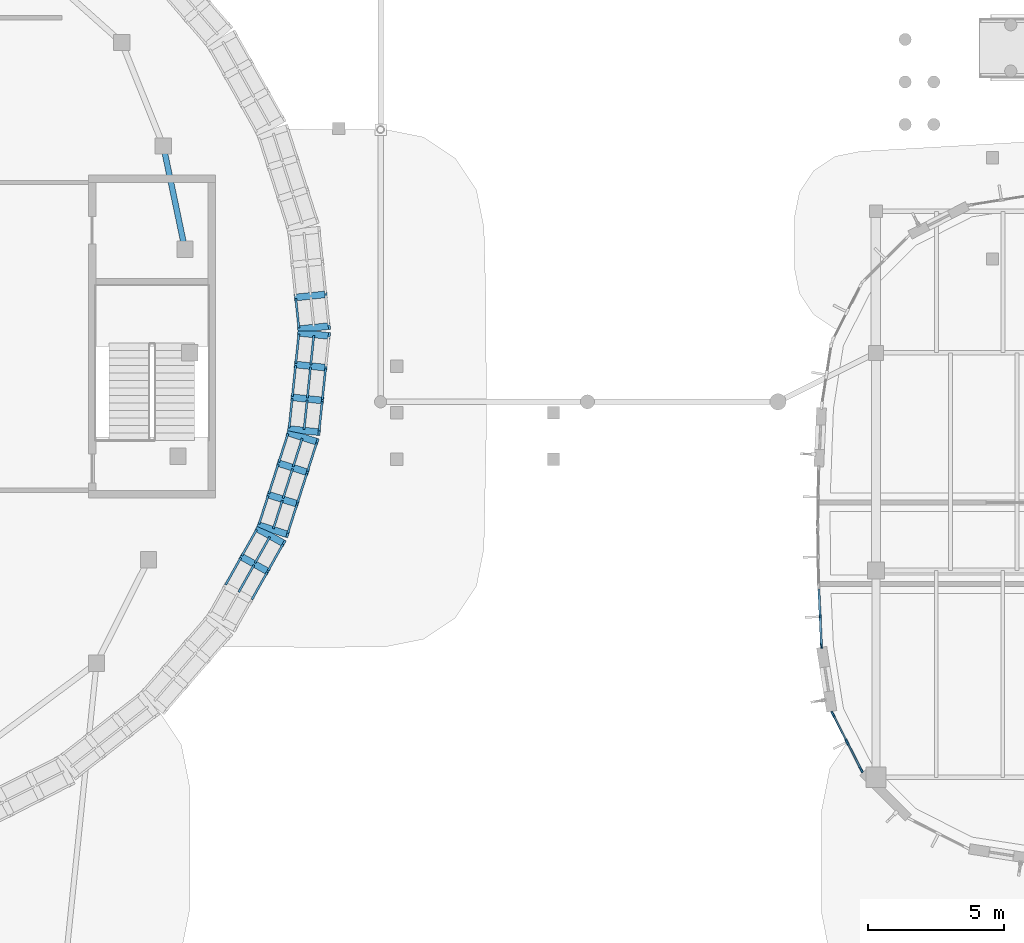
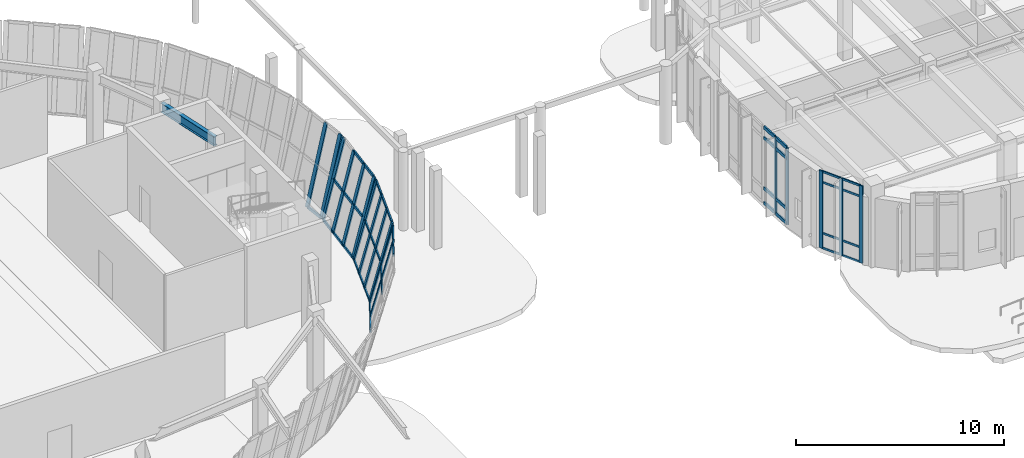
# One storey, part 24 of 120: 57 members, 1 beam, 6 elements without a shape of their own.
"""IFC4 building model written with IfcOpenShell, lengths in metres."""

from ifc_helpers import new_model, si_unit, direction, frame, origin, origin_2d, place, context, subcontext, project, spatial, rectangle, i_section, extrude, material, material_profile, profile_set, type_object, element, aggregate, save


model = new_model("IFC4")

# Units and contexts
model_context = context("Model", 3, precision=1e-05, world=origin(), true_north=direction((0.0, 1.0)))
body_context = subcontext(model_context, "Body", "Model", "MODEL_VIEW")
ifc_project = project(units=[si_unit("LENGTHUNIT", "METRE"), si_unit("AREAUNIT", "SQUARE_METRE"), si_unit("VOLUMEUNIT", "CUBIC_METRE"), si_unit("PLANEANGLEUNIT", "RADIAN"), si_unit("MASSUNIT", "GRAM", prefix="KILO")], contexts=[model_context])

# Site, building, storey
site_placement = place(None, origin())
site = spatial("IfcSite", under=ifc_project, at=site_placement, CompositionType="ELEMENT")
building_placement = place(site_placement, origin())
building = spatial("IfcBuilding", under=site, at=building_placement, Name="Corveleigh Park Community Centre", CompositionType="ELEMENT")
storey_placement = place(building_placement, origin())
storey = spatial("IfcBuildingStorey", under=building, at=storey_placement, Name="L00", CompositionType="ELEMENT", Elevation=0.0)

# Beam
ifc_material_1 = material(Name="Steel S355", Category="steel")
ifc_material_profile_1 = material_profile(ifc_material_1, i_section(OverallWidth=0.210693359375, OverallDepth=0.53955078125, WebThickness=0.01171875, FlangeThickness=0.018798828125, at=origin_2d()), Name="UKB 533x210x109", Category="steel")
ifc_profile_set_1 = profile_set([ifc_material_profile_1], Name="Steel S355")
beam_type = type_object("IfcBeamType", Name="BM-STL-UKB533x109", PredefinedType="BEAM", material=ifc_profile_set_1)
beam_placement = place(storey_placement, frame((46.613037109375, 30.60498046875, 4.2421875), z_axis=(-0.204790105702, 0.978805911612, 0.0), x_axis=(-0.978805911612, -0.204790105702, 0.0)))
element("IfcBeam", 1, at=beam_placement, inside=storey, type_object=beam_type, Name="V1 Drum Ring Girder", PredefinedType="BEAM", context=body_context, shape_type="SweptSolid", body=[
    extrude(i_section(OverallWidth=0.210693359375, OverallDepth=0.53955078125, WebThickness=0.01171875, FlangeThickness=0.018798828125, at=origin_2d()), origin(), (0.0, 0.0, 1.0), 3.8720703125),
])

# Curtain wall, members
ifc_material_2 = material(Name="Anodised aluminium 6063-T6", Category="aluminium")
curtain_wall_type_1 = type_object("IfcCurtainWallType", Name="CW-SYS-V3-L00", PredefinedType="NOTDEFINED", material=ifc_material_2)
curtain_wall_1_placement = place(storey_placement, origin())
curtain_wall_1 = element("IfcCurtainWall", 2, at=curtain_wall_1_placement, inside=storey, type_object=curtain_wall_type_1, Name="V3 L00 Curtain Wall 105", PredefinedType="NOTDEFINED")
ifc_material_profile_2 = material_profile(ifc_material_2, rectangle(XDim=0.070068359375, YDim=0.199951171875, at=origin_2d()), Name="ALU-M70x200", Category="aluminium")
ifc_profile_set_2 = profile_set([ifc_material_profile_2], Name="Anodised aluminium 6063-T6")
member_type_1 = type_object("IfcMemberType", Name="CWM-70x200", PredefinedType="MULLION", material=ifc_profile_set_2)
member_1_placement = place(storey_placement, frame((69.997314453125, 16.052001953125, 0.0), z_axis=(0.0, 0.0, 1.0), x_axis=(-0.998942789627, -0.045970676011, 0.0)))
member_1 = element("IfcMember", 3, at=member_1_placement, type_object=member_type_1, Name="CW05 mullion 1", PredefinedType="MULLION", context=body_context, shape_type="SweptSolid", body=[
    extrude(rectangle(XDim=0.070068359375, YDim=0.199951171875, at=origin_2d()), origin(), (0.0, 0.0, 1.0), 4.511962890625),
])
member_2_placement = place(storey_placement, frame((69.948974609375, 17.103515625, 0.0), z_axis=(0.0, 0.0, 1.0), x_axis=(-0.998942789627, -0.045970676011, 0.0)))
member_2 = element("IfcMember", 4, at=member_2_placement, type_object=member_type_1, Name="CW05 mullion 2", PredefinedType="MULLION", context=body_context, shape_type="SweptSolid", body=[
    extrude(rectangle(XDim=0.070068359375, YDim=0.199951171875, at=origin_2d()), origin(), (0.0, 0.0, 1.0), 4.511962890625),
])

curtain_wall_2_placement = place(storey_placement, origin())
curtain_wall_2 = element("IfcCurtainWall", 5, at=curtain_wall_2_placement, inside=storey, type_object=curtain_wall_type_1, Name="V3 L00 Curtain Wall 106", PredefinedType="NOTDEFINED")
ifc_material_profile_3 = material_profile(ifc_material_2, rectangle(XDim=0.074951171875, YDim=0.219970703125, at=origin_2d()), Name="ALU-M75x220", Category="aluminium")
ifc_profile_set_3 = profile_set([ifc_material_profile_3], Name="Anodised aluminium 6063-T6")
member_type_2 = type_object("IfcMemberType", Name="CWM-75x220", PredefinedType="MULLION", material=ifc_profile_set_3)
member_3_placement = place(storey_placement, frame((71.4560546875, 11.482421875, 0.0), z_axis=(0.0, 0.0, 1.0), x_axis=(-0.890932984411, -0.45413480079, 0.0)))
member_3 = element("IfcMember", 6, at=member_3_placement, type_object=member_type_2, Name="CW05 mullion 1", PredefinedType="MULLION", context=body_context, shape_type="SweptSolid", body=[
    extrude(rectangle(XDim=0.074951171875, YDim=0.219970703125, at=origin_2d()), origin(), (0.0, 0.0, 1.0), 4.5419921875),
])
member_4_placement = place(storey_placement, frame((70.93603515625, 12.50244140625, 0.0), z_axis=(0.0, 0.0, 1.0), x_axis=(-0.890932984411, -0.45413480079, 0.0)))
member_4 = element("IfcMember", 7, at=member_4_placement, type_object=member_type_2, Name="CW05 mullion 2", PredefinedType="MULLION", context=body_context, shape_type="SweptSolid", body=[
    extrude(rectangle(XDim=0.074951171875, YDim=0.219970703125, at=origin_2d()), origin(), (0.0, 0.0, 1.0), 4.5419921875),
])
member_5_placement = place(storey_placement, frame((70.416015625, 13.522705078125, 0.0), z_axis=(0.0, 0.0, 1.0), x_axis=(-0.890932984411, -0.45413480079, 0.0)))
member_5 = element("IfcMember", 8, at=member_5_placement, type_object=member_type_2, Name="CW05 mullion 3", PredefinedType="MULLION", context=body_context, shape_type="SweptSolid", body=[
    extrude(rectangle(XDim=0.074951171875, YDim=0.219970703125, at=origin_2d()), origin(), (0.0, 0.0, 1.0), 4.5419921875),
])

curtain_wall_type_2 = type_object("IfcCurtainWallType", Name="CW-SYS-V1-L00", PredefinedType="NOTDEFINED", material=ifc_material_2)
curtain_wall_3_placement = place(storey_placement, origin())
curtain_wall_3 = element("IfcCurtainWall", 9, at=curtain_wall_3_placement, inside=storey, type_object=curtain_wall_type_2, Name="Main Hall Flared Drum CW 1", PredefinedType="NOTDEFINED")
ifc_material_profile_4 = material_profile(ifc_material_2, rectangle(XDim=0.080078125, YDim=0.25, at=origin_2d()), Name="ALU-M80x250", Category="aluminium")
ifc_profile_set_4 = profile_set([ifc_material_profile_4], Name="Anodised aluminium 6063-T6")
member_type_3 = type_object("IfcMemberType", Name="CWM-80x250", PredefinedType="MULLION", material=ifc_profile_set_4)
member_6_placement = place(storey_placement, frame((50.79296875, 27.666748046875, 0.0), z_axis=(0.240619393384, 0.024886230082, 0.970300460208), x_axis=(-0.965152134893, -0.099821538717, 0.241902908044)))
member_6 = element("IfcMember", 10, at=member_6_placement, type_object=member_type_3, Name="CW01 mullion 1", PredefinedType="MULLION", context=body_context, shape_type="SweptSolid", body=[
    extrude(rectangle(XDim=0.080078125, YDim=0.25, at=origin_2d()), origin(), (0.0, 0.0, 1.0), 4.650146484375),
])
member_7_placement = place(storey_placement, frame((50.67236328125, 28.831787109375, 0.0), z_axis=(0.240619393384, 0.024886230082, 0.970300460208), x_axis=(-0.965152134893, -0.099821538717, 0.241902908044)))
member_7 = element("IfcMember", 11, at=member_7_placement, type_object=member_type_3, Name="CW01 mullion 2", PredefinedType="MULLION", context=body_context, shape_type="SweptSolid", body=[
    extrude(rectangle(XDim=0.080078125, YDim=0.25, at=origin_2d()), origin(), (0.0, 0.0, 1.0), 4.650146484375),
])

curtain_wall_4_placement = place(storey_placement, origin())
curtain_wall_4 = element("IfcCurtainWall", 12, at=curtain_wall_4_placement, inside=storey, type_object=curtain_wall_type_2, Name="Main Hall Flared Drum CW 27", PredefinedType="NOTDEFINED")
member_8_placement = place(storey_placement, frame((48.6787109375, 19.314697265625, 0.0), z_axis=(0.210798134358, -0.118655985965, 0.970301449832), x_axis=(-0.845550363495, 0.475951138605, 0.241898938514)))
member_8 = element("IfcMember", 13, at=member_8_placement, type_object=member_type_3, Name="CW01 mullion 3", PredefinedType="MULLION", context=body_context, shape_type="SweptSolid", body=[
    extrude(rectangle(XDim=0.080078125, YDim=0.25, at=origin_2d()), origin(), (0.0, 0.0, 1.0), 4.650146484375),
])
member_9_placement = place(storey_placement, frame((49.260498046875, 20.34814453125, 0.0), z_axis=(0.210798134358, -0.118655985965, 0.970301449832), x_axis=(-0.845550363495, 0.475951138605, 0.241898938514)))
member_9 = element("IfcMember", 14, at=member_9_placement, type_object=member_type_3, Name="CW01 mullion 4", PredefinedType="MULLION", context=body_context, shape_type="SweptSolid", body=[
    extrude(rectangle(XDim=0.080078125, YDim=0.25, at=origin_2d()), origin(), (0.0, 0.0, 1.0), 4.650146484375),
])

curtain_wall_5_placement = place(storey_placement, origin())
curtain_wall_5 = element("IfcCurtainWall", 15, at=curtain_wall_5_placement, inside=storey, type_object=curtain_wall_type_2, Name="Main Hall Flared Drum CW 28", PredefinedType="NOTDEFINED")
member_10_placement = place(storey_placement, frame((49.313232421875, 20.468994140625, 0.0), z_axis=(0.230432884742, -0.073660819616, 0.970296227594), x_axis=(-0.924223979595, 0.295440018996, 0.241919884914)))
member_10 = element("IfcMember", 16, at=member_10_placement, type_object=member_type_3, Name="CW01 mullion 1", PredefinedType="MULLION", context=body_context, shape_type="SweptSolid", body=[
    extrude(rectangle(XDim=0.080078125, YDim=0.25, at=origin_2d()), origin(), (0.0, 0.0, 1.0), 4.650146484375),
])
member_11_placement = place(storey_placement, frame((49.67138671875, 21.58935546875, 0.0), z_axis=(0.230432884742, -0.073660819616, 0.970296227594), x_axis=(-0.924223979595, 0.295440018996, 0.241919884914)))
member_11 = element("IfcMember", 17, at=member_11_placement, type_object=member_type_3, Name="CW01 mullion 2", PredefinedType="MULLION", context=body_context, shape_type="SweptSolid", body=[
    extrude(rectangle(XDim=0.080078125, YDim=0.25, at=origin_2d()), origin(), (0.0, 0.0, 1.0), 4.650146484375),
])
member_12_placement = place(storey_placement, frame((50.041748046875, 22.74755859375, 0.0), z_axis=(0.230432884742, -0.073660819616, 0.970296227594), x_axis=(-0.924223979595, 0.295440018996, 0.241919884914)))
member_12 = element("IfcMember", 18, at=member_12_placement, type_object=member_type_3, Name="CW01 mullion 3", PredefinedType="MULLION", context=body_context, shape_type="SweptSolid", body=[
    extrude(rectangle(XDim=0.080078125, YDim=0.25, at=origin_2d()), origin(), (0.0, 0.0, 1.0), 4.650146484375),
])
member_13_placement = place(storey_placement, frame((50.39990234375, 23.867919921875, 0.0), z_axis=(0.230432884742, -0.073660819616, 0.970296227594), x_axis=(-0.924223979595, 0.295440018996, 0.241919884914)))
member_13 = element("IfcMember", 19, at=member_13_placement, type_object=member_type_3, Name="CW01 mullion 4", PredefinedType="MULLION", context=body_context, shape_type="SweptSolid", body=[
    extrude(rectangle(XDim=0.080078125, YDim=0.25, at=origin_2d()), origin(), (0.0, 0.0, 1.0), 4.650146484375),
])

curtain_wall_6_placement = place(storey_placement, origin())
curtain_wall_6 = element("IfcCurtainWall", 20, at=curtain_wall_6_placement, inside=storey, type_object=curtain_wall_type_2, Name="Main Hall Flared Drum CW 29", PredefinedType="NOTDEFINED")
member_14_placement = place(storey_placement, frame((50.427001953125, 23.998779296875, 0.0), z_axis=(0.240668855263, -0.024885915662, 0.970288201159), x_axis=(-0.965142168995, 0.099798732134, 0.241952075196)))
member_14 = element("IfcMember", 21, at=member_14_placement, type_object=member_type_3, Name="CW01 mullion 1", PredefinedType="MULLION", context=body_context, shape_type="SweptSolid", body=[
    extrude(rectangle(XDim=0.080078125, YDim=0.25, at=origin_2d()), origin(), (0.0, 0.0, 1.0), 4.650146484375),
])
member_15_placement = place(storey_placement, frame((50.547607421875, 25.16357421875, 0.0), z_axis=(0.240668855263, -0.024885915662, 0.970288201159), x_axis=(-0.965142168995, 0.099798732134, 0.241952075196)))
member_15 = element("IfcMember", 22, at=member_15_placement, type_object=member_type_3, Name="CW01 mullion 2", PredefinedType="MULLION", context=body_context, shape_type="SweptSolid", body=[
    extrude(rectangle(XDim=0.080078125, YDim=0.25, at=origin_2d()), origin(), (0.0, 0.0, 1.0), 4.650146484375),
])
member_16_placement = place(storey_placement, frame((50.67236328125, 26.368408203125, 0.0), z_axis=(0.240619078662, -0.024938700058, 0.970299191087), x_axis=(-0.965129300216, 0.100029766005, 0.241907998579)))
member_16 = element("IfcMember", 23, at=member_16_placement, type_object=member_type_3, Name="CW01 mullion 3", PredefinedType="MULLION", context=body_context, shape_type="SweptSolid", body=[
    extrude(rectangle(XDim=0.080078125, YDim=0.25, at=origin_2d()), origin(), (0.0, 0.0, 1.0), 4.650146484375),
])
member_17_placement = place(storey_placement, frame((50.79296875, 27.533203125, 0.0), z_axis=(0.240619393384, -0.024886230082, 0.970300460208), x_axis=(-0.965152134893, 0.099821538717, 0.241902908044)))
member_17 = element("IfcMember", 24, at=member_17_placement, type_object=member_type_3, Name="CW01 mullion 4", PredefinedType="MULLION", context=body_context, shape_type="SweptSolid", body=[
    extrude(rectangle(XDim=0.080078125, YDim=0.25, at=origin_2d()), origin(), (0.0, 0.0, 1.0), 4.650146484375),
])

# Member
ifc_material_profile_5 = material_profile(ifc_material_2, rectangle(XDim=0.06005859375, YDim=0.1201171875, at=origin_2d()), Name="ALU-T60x120", Category="aluminium")
ifc_profile_set_5 = profile_set([ifc_material_profile_5], Name="Anodised aluminium 6063-T6")
member_type_4 = type_object("IfcMemberType", Name="CWT-60x120", PredefinedType="USERDEFINED", material=ifc_profile_set_5)
member_18_placement = place(storey_placement, frame((71.43896484375, 11.515869140625, 0.030029296875), z_axis=(-0.454137723853, 0.890931494433, 0.0), x_axis=(-0.890931494433, -0.454137723853, 0.0)))
member_18 = element("IfcMember", 25, at=member_18_placement, type_object=member_type_4, Name="CW05 transom 1.1", ObjectType="TRANSOM", PredefinedType="USERDEFINED", context=body_context, shape_type="SweptSolid", body=[
    extrude(rectangle(XDim=0.06005859375, YDim=0.1201171875, at=origin_2d()), origin(), (0.0, 0.0, 1.0), 1.06982421875),
])

member_19_placement = place(storey_placement, frame((71.43896484375, 11.515869140625, 0.89990234375), z_axis=(-0.454137723853, 0.890931494433, 0.0), x_axis=(-0.890931494433, -0.454137723853, 0.0)))
member_19 = element("IfcMember", 26, at=member_19_placement, type_object=member_type_4, Name="CW05 transom 1.2", ObjectType="TRANSOM", PredefinedType="USERDEFINED", context=body_context, shape_type="SweptSolid", body=[
    extrude(rectangle(XDim=0.06005859375, YDim=0.1201171875, at=origin_2d()), origin(), (0.0, 0.0, 1.0), 1.06982421875),
])

member_20_placement = place(storey_placement, frame((71.43896484375, 11.515869140625, 3.89208984375), z_axis=(-0.454137723853, 0.890931494433, 0.0), x_axis=(-0.890931494433, -0.454137723853, 0.0)))
member_20 = element("IfcMember", 27, at=member_20_placement, type_object=member_type_4, Name="CW05 transom 1.3", ObjectType="TRANSOM", PredefinedType="USERDEFINED", context=body_context, shape_type="SweptSolid", body=[
    extrude(rectangle(XDim=0.06005859375, YDim=0.1201171875, at=origin_2d()), origin(), (0.0, 0.0, 1.0), 1.06982421875),
])

member_21_placement = place(storey_placement, frame((71.43896484375, 11.515869140625, 4.511962890625), z_axis=(-0.454137723853, 0.890931494433, 0.0), x_axis=(-0.890931494433, -0.454137723853, 0.0)))
member_21 = element("IfcMember", 28, at=member_21_placement, type_object=member_type_4, Name="CW05 transom 1.4", ObjectType="TRANSOM", PredefinedType="USERDEFINED", context=body_context, shape_type="SweptSolid", body=[
    extrude(rectangle(XDim=0.06005859375, YDim=0.1201171875, at=origin_2d()), origin(), (0.0, 0.0, 1.0), 1.06982421875),
])

member_22_placement = place(storey_placement, frame((70.9189453125, 12.535888671875, 0.030029296875), z_axis=(-0.454045405177, 0.89097854634, 0.0), x_axis=(-0.89097854634, -0.454045405177, 0.0)))
member_22 = element("IfcMember", 29, at=member_22_placement, type_object=member_type_4, Name="CW05 transom 2.1", ObjectType="TRANSOM", PredefinedType="USERDEFINED", context=body_context, shape_type="SweptSolid", body=[
    extrude(rectangle(XDim=0.06005859375, YDim=0.1201171875, at=origin_2d()), origin(), (0.0, 0.0, 1.0), 1.070068359375),
])

member_23_placement = place(storey_placement, frame((70.9189453125, 12.535888671875, 0.89990234375), z_axis=(-0.454045405177, 0.89097854634, 0.0), x_axis=(-0.89097854634, -0.454045405177, 0.0)))
member_23 = element("IfcMember", 30, at=member_23_placement, type_object=member_type_4, Name="CW05 transom 2.2", ObjectType="TRANSOM", PredefinedType="USERDEFINED", context=body_context, shape_type="SweptSolid", body=[
    extrude(rectangle(XDim=0.06005859375, YDim=0.1201171875, at=origin_2d()), origin(), (0.0, 0.0, 1.0), 1.070068359375),
])

member_24_placement = place(storey_placement, frame((70.9189453125, 12.535888671875, 3.89208984375), z_axis=(-0.454045405177, 0.89097854634, 0.0), x_axis=(-0.89097854634, -0.454045405177, 0.0)))
member_24 = element("IfcMember", 31, at=member_24_placement, type_object=member_type_4, Name="CW05 transom 2.3", ObjectType="TRANSOM", PredefinedType="USERDEFINED", context=body_context, shape_type="SweptSolid", body=[
    extrude(rectangle(XDim=0.06005859375, YDim=0.1201171875, at=origin_2d()), origin(), (0.0, 0.0, 1.0), 1.070068359375),
])

member_25_placement = place(storey_placement, frame((70.9189453125, 12.535888671875, 4.511962890625), z_axis=(-0.454045405177, 0.89097854634, 0.0), x_axis=(-0.89097854634, -0.454045405177, 0.0)))
member_25 = element("IfcMember", 32, at=member_25_placement, type_object=member_type_4, Name="CW05 transom 2.4", ObjectType="TRANSOM", PredefinedType="USERDEFINED", context=body_context, shape_type="SweptSolid", body=[
    extrude(rectangle(XDim=0.06005859375, YDim=0.1201171875, at=origin_2d()), origin(), (0.0, 0.0, 1.0), 1.070068359375),
])

aggregate(curtain_wall_2, [member_3, member_4, member_5, member_18, member_19, member_20, member_21, member_22, member_23, member_24, member_25])

ifc_material_profile_6 = material_profile(ifc_material_2, rectangle(XDim=0.074951171875, YDim=0.175048828125, at=origin_2d()), Name="ALU-T75x175", Category="aluminium")
ifc_profile_set_6 = profile_set([ifc_material_profile_6], Name="Anodised aluminium 6063-T6")
member_type_5 = type_object("IfcMemberType", Name="CWT-75x175", PredefinedType="USERDEFINED", material=ifc_profile_set_6)
member_26_placement = place(storey_placement, frame((50.798095703125, 27.70751953125, 0.03759765625), z_axis=(-0.102937324698, 0.994687844092, 0.0), x_axis=(-0.994687844092, -0.102937324698, 0.0)))
member_26 = element("IfcMember", 33, at=member_26_placement, type_object=member_type_5, Name="CW01 transom 1.1", ObjectType="TRANSOM", PredefinedType="USERDEFINED", context=body_context, shape_type="SweptSolid", body=[
    extrude(rectangle(XDim=0.074951171875, YDim=0.175048828125, at=origin_2d()), origin(), (0.0, 0.0, 1.0), 1.091064453125),
])

aggregate(curtain_wall_3, [member_6, member_7, member_26])

member_27_placement = place(storey_placement, frame((48.10498046875, 18.276611328125, 0.03759765625), z_axis=(0.490645560304, 0.871359245176, 0.0), x_axis=(-0.871359245176, 0.490645560304, 0.0)))
member_27 = element("IfcMember", 34, at=member_27_placement, type_object=member_type_5, Name="CW01 transom 2.1", ObjectType="TRANSOM", PredefinedType="USERDEFINED", context=body_context, shape_type="SweptSolid", body=[
    extrude(rectangle(XDim=0.074951171875, YDim=0.175048828125, at=origin_2d()), origin(), (0.0, 0.0, 1.0), 1.14599609375),
])

member_28_placement = place(storey_placement, frame((48.5859375, 18.006103515625, 2.25), z_axis=(0.490483775951, 0.871450323041, 0.0), x_axis=(-0.871450323041, 0.490483775951, 0.0)))
member_28 = element("IfcMember", 35, at=member_28_placement, type_object=member_type_5, Name="CW01 transom 2.2", ObjectType="TRANSOM", PredefinedType="USERDEFINED", context=body_context, shape_type="SweptSolid", body=[
    extrude(rectangle(XDim=0.074951171875, YDim=0.175048828125, at=origin_2d()), origin(), (0.0, 0.0, 1.0), 1.145751953125),
])

member_29_placement = place(storey_placement, frame((49.069091796875, 17.73388671875, 4.474609375), z_axis=(0.490554491168, 0.87141051818, 0.0), x_axis=(-0.87141051818, 0.490554491168, 0.0)))
member_29 = element("IfcMember", 36, at=member_29_placement, type_object=member_type_5, Name="CW01 transom 2.3", ObjectType="TRANSOM", PredefinedType="USERDEFINED", context=body_context, shape_type="SweptSolid", body=[
    extrude(rectangle(XDim=0.074951171875, YDim=0.175048828125, at=origin_2d()), origin(), (0.0, 0.0, 1.0), 1.146240234375),
])

member_30_placement = place(storey_placement, frame((48.70654296875, 19.344970703125, 0.03759765625), z_axis=(0.490565186833, 0.871404497043, 0.0), x_axis=(-0.871404497043, 0.490565186833, 0.0)))
member_30 = element("IfcMember", 37, at=member_30_placement, type_object=member_type_5, Name="CW01 transom 3.1", ObjectType="TRANSOM", PredefinedType="USERDEFINED", context=body_context, shape_type="SweptSolid", body=[
    extrude(rectangle(XDim=0.074951171875, YDim=0.175048828125, at=origin_2d()), origin(), (0.0, 0.0, 1.0), 1.105712890625),
])

member_31_placement = place(storey_placement, frame((49.187255859375, 19.074462890625, 2.25), z_axis=(0.490565186833, 0.871404497043, 0.0), x_axis=(-0.871404497043, 0.490565186833, 0.0)))
member_31 = element("IfcMember", 38, at=member_31_placement, type_object=member_type_5, Name="CW01 transom 3.2", ObjectType="TRANSOM", PredefinedType="USERDEFINED", context=body_context, shape_type="SweptSolid", body=[
    extrude(rectangle(XDim=0.074951171875, YDim=0.175048828125, at=origin_2d()), origin(), (0.0, 0.0, 1.0), 1.105712890625),
])

member_32_placement = place(storey_placement, frame((49.67041015625, 18.80224609375, 4.474609375), z_axis=(0.490470824454, 0.871457612486, 0.0), x_axis=(-0.871457612486, 0.490470824454, 0.0)))
member_32 = element("IfcMember", 39, at=member_32_placement, type_object=member_type_5, Name="CW01 transom 3.3", ObjectType="TRANSOM", PredefinedType="USERDEFINED", context=body_context, shape_type="SweptSolid", body=[
    extrude(rectangle(XDim=0.074951171875, YDim=0.175048828125, at=origin_2d()), origin(), (0.0, 0.0, 1.0), 1.10595703125),
])

aggregate(curtain_wall_4, [member_8, member_9, member_27, member_28, member_29, member_30, member_31, member_32])

member_33_placement = place(storey_placement, frame((49.334228515625, 20.50439453125, 0.03759765625), z_axis=(0.304508988552, 0.952509462363, 0.0), x_axis=(-0.952509462363, 0.304508988552, 0.0)))
member_33 = element("IfcMember", 40, at=member_33_placement, type_object=member_type_5, Name="CW01 transom 1.1", ObjectType="TRANSOM", PredefinedType="USERDEFINED", context=body_context, shape_type="SweptSolid", body=[
    extrude(rectangle(XDim=0.074951171875, YDim=0.175048828125, at=origin_2d()), origin(), (0.0, 0.0, 1.0), 1.095947265625),
])

member_34_placement = place(storey_placement, frame((49.859619140625, 20.33642578125, 2.25), z_axis=(0.304711069795, 0.952444835119, 0.0), x_axis=(-0.952444835119, 0.304711069795, 0.0)))
member_34 = element("IfcMember", 41, at=member_34_placement, type_object=member_type_5, Name="CW01 transom 1.2", ObjectType="TRANSOM", PredefinedType="USERDEFINED", context=body_context, shape_type="SweptSolid", body=[
    extrude(rectangle(XDim=0.074951171875, YDim=0.175048828125, at=origin_2d()), origin(), (0.0, 0.0, 1.0), 1.095947265625),
])

member_35_placement = place(storey_placement, frame((50.387939453125, 20.16748046875, 4.474609375), z_axis=(0.304711069795, 0.952444835119, 0.0), x_axis=(-0.952444835119, 0.304711069795, 0.0)))
member_35 = element("IfcMember", 42, at=member_35_placement, type_object=member_type_5, Name="CW01 transom 1.3", ObjectType="TRANSOM", PredefinedType="USERDEFINED", context=body_context, shape_type="SweptSolid", body=[
    extrude(rectangle(XDim=0.074951171875, YDim=0.175048828125, at=origin_2d()), origin(), (0.0, 0.0, 1.0), 1.095947265625),
])

member_36_placement = place(storey_placement, frame((49.6923828125, 21.62451171875, 0.03759765625), z_axis=(0.304471649393, 0.952521398561, 0.0), x_axis=(-0.952521398561, 0.304471649393, 0.0)))
member_36 = element("IfcMember", 43, at=member_36_placement, type_object=member_type_5, Name="CW01 transom 2.1", ObjectType="TRANSOM", PredefinedType="USERDEFINED", context=body_context, shape_type="SweptSolid", body=[
    extrude(rectangle(XDim=0.074951171875, YDim=0.175048828125, at=origin_2d()), origin(), (0.0, 0.0, 1.0), 1.13623046875),
])

member_37_placement = place(storey_placement, frame((50.2177734375, 21.45654296875, 2.25), z_axis=(0.304666581719, 0.952459066828, 0.0), x_axis=(-0.952459066828, 0.304666581719, 0.0)))
member_37 = element("IfcMember", 44, at=member_37_placement, type_object=member_type_5, Name="CW01 transom 2.2", ObjectType="TRANSOM", PredefinedType="USERDEFINED", context=body_context, shape_type="SweptSolid", body=[
    extrude(rectangle(XDim=0.074951171875, YDim=0.175048828125, at=origin_2d()), origin(), (0.0, 0.0, 1.0), 1.13623046875),
])

member_38_placement = place(storey_placement, frame((50.74609375, 21.28759765625, 4.474609375), z_axis=(0.304471649393, 0.952521398561, 0.0), x_axis=(-0.952521398561, 0.304471649393, 0.0)))
member_38 = element("IfcMember", 45, at=member_38_placement, type_object=member_type_5, Name="CW01 transom 2.3", ObjectType="TRANSOM", PredefinedType="USERDEFINED", context=body_context, shape_type="SweptSolid", body=[
    extrude(rectangle(XDim=0.074951171875, YDim=0.175048828125, at=origin_2d()), origin(), (0.0, 0.0, 1.0), 1.13623046875),
])

member_39_placement = place(storey_placement, frame((50.062744140625, 22.782958984375, 0.03759765625), z_axis=(0.304508988552, 0.952509462363, 0.0), x_axis=(-0.952509462363, 0.304508988552, 0.0)))
member_39 = element("IfcMember", 46, at=member_39_placement, type_object=member_type_5, Name="CW01 transom 3.1", ObjectType="TRANSOM", PredefinedType="USERDEFINED", context=body_context, shape_type="SweptSolid", body=[
    extrude(rectangle(XDim=0.074951171875, YDim=0.175048828125, at=origin_2d()), origin(), (0.0, 0.0, 1.0), 1.095947265625),
])

member_40_placement = place(storey_placement, frame((50.588134765625, 22.614990234375, 2.25), z_axis=(0.304508988552, 0.952509462363, 0.0), x_axis=(-0.952509462363, 0.304508988552, 0.0)))
member_40 = element("IfcMember", 47, at=member_40_placement, type_object=member_type_5, Name="CW01 transom 3.2", ObjectType="TRANSOM", PredefinedType="USERDEFINED", context=body_context, shape_type="SweptSolid", body=[
    extrude(rectangle(XDim=0.074951171875, YDim=0.175048828125, at=origin_2d()), origin(), (0.0, 0.0, 1.0), 1.095947265625),
])

member_41_placement = place(storey_placement, frame((51.116455078125, 22.446044921875, 4.474609375), z_axis=(0.304508988552, 0.952509462363, 0.0), x_axis=(-0.952509462363, 0.304508988552, 0.0)))
member_41 = element("IfcMember", 48, at=member_41_placement, type_object=member_type_5, Name="CW01 transom 3.3", ObjectType="TRANSOM", PredefinedType="USERDEFINED", context=body_context, shape_type="SweptSolid", body=[
    extrude(rectangle(XDim=0.074951171875, YDim=0.175048828125, at=origin_2d()), origin(), (0.0, 0.0, 1.0), 1.095947265625),
])

aggregate(curtain_wall_5, [member_10, member_11, member_12, member_13, member_33, member_34, member_35, member_36, member_37, member_38, member_39, member_40, member_41])

member_42_placement = place(storey_placement, frame((50.4404296875, 24.03759765625, 0.03759765625), z_axis=(0.102937324698, 0.994687844092, 0.0), x_axis=(-0.994687844092, 0.102937324698, 0.0)))
member_42 = element("IfcMember", 49, at=member_42_placement, type_object=member_type_5, Name="CW01 transom 1.1", ObjectType="TRANSOM", PredefinedType="USERDEFINED", context=body_context, shape_type="SweptSolid", body=[
    extrude(rectangle(XDim=0.074951171875, YDim=0.175048828125, at=origin_2d()), origin(), (0.0, 0.0, 1.0), 1.091064453125),
])

member_43_placement = place(storey_placement, frame((50.9892578125, 23.980712890625, 2.25), z_axis=(0.102914417151, 0.99469021446, 0.0), x_axis=(-0.99469021446, 0.102914417151, 0.0)))
member_43 = element("IfcMember", 50, at=member_43_placement, type_object=member_type_5, Name="CW01 transom 1.2", ObjectType="TRANSOM", PredefinedType="USERDEFINED", context=body_context, shape_type="SweptSolid", body=[
    extrude(rectangle(XDim=0.074951171875, YDim=0.175048828125, at=origin_2d()), origin(), (0.0, 0.0, 1.0), 1.09130859375),
])

member_44_placement = place(storey_placement, frame((51.541015625, 23.923828125, 4.474609375), z_axis=(0.102937324698, 0.994687844092, 0.0), x_axis=(-0.994687844092, 0.102937324698, 0.0)))
member_44 = element("IfcMember", 51, at=member_44_placement, type_object=member_type_5, Name="CW01 transom 1.3", ObjectType="TRANSOM", PredefinedType="USERDEFINED", context=body_context, shape_type="SweptSolid", body=[
    extrude(rectangle(XDim=0.074951171875, YDim=0.175048828125, at=origin_2d()), origin(), (0.0, 0.0, 1.0), 1.091064453125),
])

member_45_placement = place(storey_placement, frame((50.56103515625, 25.202392578125, 0.03759765625), z_axis=(0.102943329401, 0.994687222664, 0.0), x_axis=(-0.994687222664, 0.102943329401, 0.0)))
member_45 = element("IfcMember", 52, at=member_45_placement, type_object=member_type_5, Name="CW01 transom 2.1", ObjectType="TRANSOM", PredefinedType="USERDEFINED", context=body_context, shape_type="SweptSolid", body=[
    extrude(rectangle(XDim=0.074951171875, YDim=0.175048828125, at=origin_2d()), origin(), (0.0, 0.0, 1.0), 1.13134765625),
])

member_46_placement = place(storey_placement, frame((51.10986328125, 25.145751953125, 2.25), z_axis=(0.102965432712, 0.994684934875, 0.0), x_axis=(-0.994684934875, 0.102965432712, 0.0)))
member_46 = element("IfcMember", 53, at=member_46_placement, type_object=member_type_5, Name="CW01 transom 2.2", ObjectType="TRANSOM", PredefinedType="USERDEFINED", context=body_context, shape_type="SweptSolid", body=[
    extrude(rectangle(XDim=0.074951171875, YDim=0.175048828125, at=origin_2d()), origin(), (0.0, 0.0, 1.0), 1.131103515625),
])

member_47_placement = place(storey_placement, frame((51.66162109375, 25.088623046875, 4.474609375), z_axis=(0.102751853677, 0.994707020467, 0.0), x_axis=(-0.994707020467, 0.102751853677, 0.0)))
member_47 = element("IfcMember", 54, at=member_47_placement, type_object=member_type_5, Name="CW01 transom 2.3", ObjectType="TRANSOM", PredefinedType="USERDEFINED", context=body_context, shape_type="SweptSolid", body=[
    extrude(rectangle(XDim=0.074951171875, YDim=0.175048828125, at=origin_2d()), origin(), (0.0, 0.0, 1.0), 1.131103515625),
])

member_48_placement = place(storey_placement, frame((50.685791015625, 26.4072265625, 0.03759765625), z_axis=(0.102937324698, 0.994687844092, 0.0), x_axis=(-0.994687844092, 0.102937324698, 0.0)))
member_48 = element("IfcMember", 55, at=member_48_placement, type_object=member_type_5, Name="CW01 transom 3.1", ObjectType="TRANSOM", PredefinedType="USERDEFINED", context=body_context, shape_type="SweptSolid", body=[
    extrude(rectangle(XDim=0.074951171875, YDim=0.175048828125, at=origin_2d()), origin(), (0.0, 0.0, 1.0), 1.091064453125),
])

member_49_placement = place(storey_placement, frame((51.234375, 26.350341796875, 2.25), z_axis=(0.102914417151, 0.99469021446, 0.0), x_axis=(-0.99469021446, 0.102914417151, 0.0)))
member_49 = element("IfcMember", 56, at=member_49_placement, type_object=member_type_5, Name="CW01 transom 3.2", ObjectType="TRANSOM", PredefinedType="USERDEFINED", context=body_context, shape_type="SweptSolid", body=[
    extrude(rectangle(XDim=0.074951171875, YDim=0.175048828125, at=origin_2d()), origin(), (0.0, 0.0, 1.0), 1.09130859375),
])

aggregate(curtain_wall_6, [member_14, member_15, member_16, member_17, member_42, member_43, member_44, member_45, member_46, member_47, member_48, member_49])

ifc_material_profile_7 = material_profile(ifc_material_2, rectangle(XDim=0.080078125, YDim=0.195068359375, at=origin_2d()), Name="ALU-T80x195", Category="aluminium")
ifc_profile_set_7 = profile_set([ifc_material_profile_7], Name="Anodised aluminium 6063-T6")
member_type_6 = type_object("IfcMemberType", Name="CWT-80x195", PredefinedType="USERDEFINED", material=ifc_profile_set_7)
member_50_placement = place(storey_placement, frame((69.995849609375, 16.0869140625, 0.0400390625), z_axis=(-0.045959837936, 0.998943288329, 0.0), x_axis=(-0.998943288329, -0.045959837936, 0.0)))
member_50 = element("IfcMember", 57, at=member_50_placement, type_object=member_type_6, Name="CW05 transom 1.1", ObjectType="TRANSOM", PredefinedType="USERDEFINED", context=body_context, shape_type="SweptSolid", body=[
    extrude(rectangle(XDim=0.080078125, YDim=0.195068359375, at=origin_2d()), origin(), (0.0, 0.0, 1.0), 0.982666015625),
])

member_51_placement = place(storey_placement, frame((69.995849609375, 16.0869140625, 0.89990234375), z_axis=(-0.045959837936, 0.998943288329, 0.0), x_axis=(-0.998943288329, -0.045959837936, 0.0)))
member_51 = element("IfcMember", 58, at=member_51_placement, type_object=member_type_6, Name="CW05 transom 1.2", ObjectType="TRANSOM", PredefinedType="USERDEFINED", context=body_context, shape_type="SweptSolid", body=[
    extrude(rectangle(XDim=0.080078125, YDim=0.195068359375, at=origin_2d()), origin(), (0.0, 0.0, 1.0), 0.982666015625),
])

member_52_placement = place(storey_placement, frame((69.995849609375, 16.0869140625, 3.862060546875), z_axis=(-0.045959837936, 0.998943288329, 0.0), x_axis=(-0.998943288329, -0.045959837936, 0.0)))
member_52 = element("IfcMember", 59, at=member_52_placement, type_object=member_type_6, Name="CW05 transom 1.3", ObjectType="TRANSOM", PredefinedType="USERDEFINED", context=body_context, shape_type="SweptSolid", body=[
    extrude(rectangle(XDim=0.080078125, YDim=0.195068359375, at=origin_2d()), origin(), (0.0, 0.0, 1.0), 0.982666015625),
])

member_53_placement = place(storey_placement, frame((69.995849609375, 16.0869140625, 4.471923828125), z_axis=(-0.045959837936, 0.998943288329, 0.0), x_axis=(-0.998943288329, -0.045959837936, 0.0)))
member_53 = element("IfcMember", 60, at=member_53_placement, type_object=member_type_6, Name="CW05 transom 1.4", ObjectType="TRANSOM", PredefinedType="USERDEFINED", context=body_context, shape_type="SweptSolid", body=[
    extrude(rectangle(XDim=0.080078125, YDim=0.195068359375, at=origin_2d()), origin(), (0.0, 0.0, 1.0), 0.982666015625),
])

member_54_placement = place(storey_placement, frame((69.947509765625, 17.138427734375, 0.0400390625), z_axis=(-0.046207740475, 0.99893185189, 0.0), x_axis=(-0.99893185189, -0.046207740475, 0.0)))
member_54 = element("IfcMember", 61, at=member_54_placement, type_object=member_type_6, Name="CW05 transom 2.1", ObjectType="TRANSOM", PredefinedType="USERDEFINED", context=body_context, shape_type="SweptSolid", body=[
    extrude(rectangle(XDim=0.080078125, YDim=0.195068359375, at=origin_2d()), origin(), (0.0, 0.0, 1.0), 0.982666015625),
])

member_55_placement = place(storey_placement, frame((69.947509765625, 17.138427734375, 0.89990234375), z_axis=(-0.046207740475, 0.99893185189, 0.0), x_axis=(-0.99893185189, -0.046207740475, 0.0)))
member_55 = element("IfcMember", 62, at=member_55_placement, type_object=member_type_6, Name="CW05 transom 2.2", ObjectType="TRANSOM", PredefinedType="USERDEFINED", context=body_context, shape_type="SweptSolid", body=[
    extrude(rectangle(XDim=0.080078125, YDim=0.195068359375, at=origin_2d()), origin(), (0.0, 0.0, 1.0), 0.982666015625),
])

member_56_placement = place(storey_placement, frame((69.947509765625, 17.138427734375, 3.862060546875), z_axis=(-0.046207740475, 0.99893185189, 0.0), x_axis=(-0.99893185189, -0.046207740475, 0.0)))
member_56 = element("IfcMember", 63, at=member_56_placement, type_object=member_type_6, Name="CW05 transom 2.3", ObjectType="TRANSOM", PredefinedType="USERDEFINED", context=body_context, shape_type="SweptSolid", body=[
    extrude(rectangle(XDim=0.080078125, YDim=0.195068359375, at=origin_2d()), origin(), (0.0, 0.0, 1.0), 0.982666015625),
])

member_57_placement = place(storey_placement, frame((69.947509765625, 17.138427734375, 4.471923828125), z_axis=(-0.046207740475, 0.99893185189, 0.0), x_axis=(-0.99893185189, -0.046207740475, 0.0)))
member_57 = element("IfcMember", 64, at=member_57_placement, type_object=member_type_6, Name="CW05 transom 2.4", ObjectType="TRANSOM", PredefinedType="USERDEFINED", context=body_context, shape_type="SweptSolid", body=[
    extrude(rectangle(XDim=0.080078125, YDim=0.195068359375, at=origin_2d()), origin(), (0.0, 0.0, 1.0), 0.982666015625),
])

aggregate(curtain_wall_1, [member_1, member_2, member_50, member_51, member_52, member_53, member_54, member_55, member_56, member_57])

save(model, "model.ifc")
